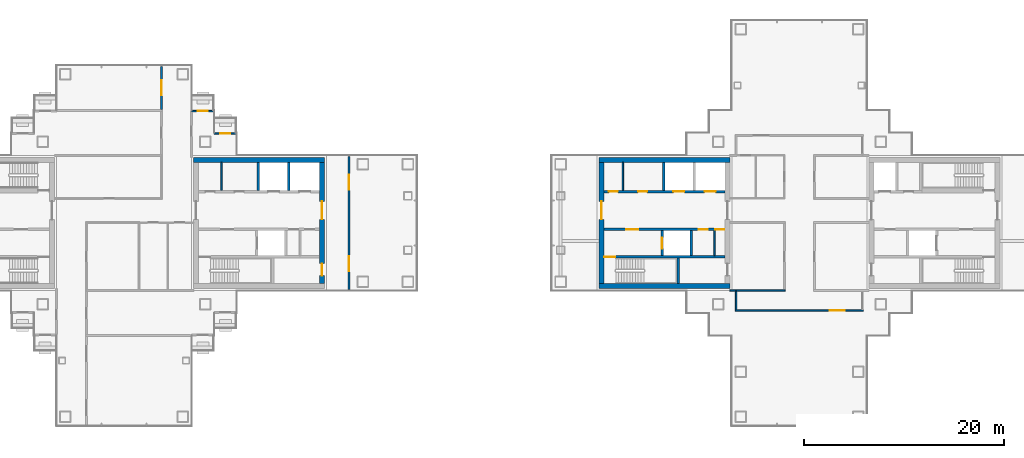
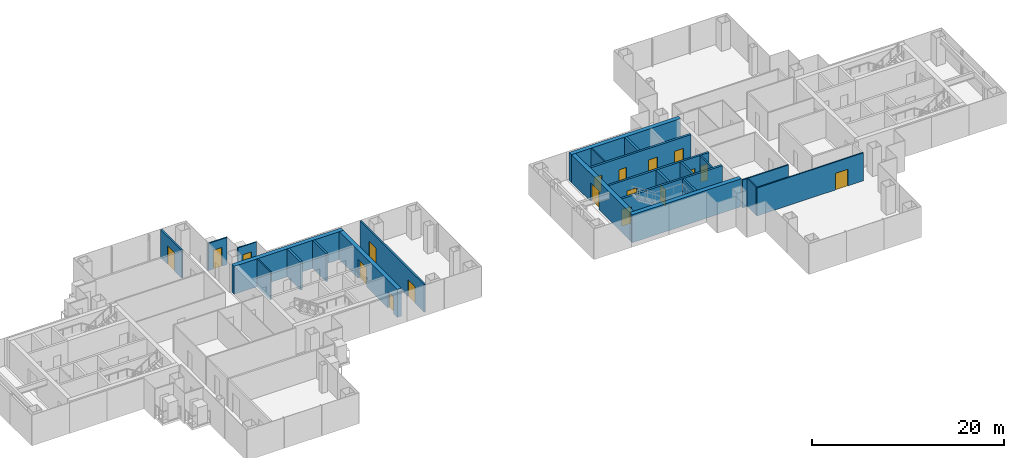
# One storey, part 11 of 16: 24 walls, 18 doors, 18 openings.
"""IFC4 building model written with IfcOpenShell, lengths in metres."""

from ifc_helpers import new_model, si_unit, direction, frame, frame_2d, origin, place, context, subcontext, project, spatial, rectangle, extrude, material, layer, layer_set, type_object, element, fill, save


model = new_model("IFC4")

# Units and contexts
model_context = context("Model", 3, precision=1e-05, world=origin(), true_north=direction((0.0, 1.0)))
body_context = subcontext(model_context, "Body", "Model", "MODEL_VIEW")
ifc_project = project(units=[si_unit("LENGTHUNIT", "METRE"), si_unit("AREAUNIT", "SQUARE_METRE"), si_unit("VOLUMEUNIT", "CUBIC_METRE"), si_unit("PLANEANGLEUNIT", "RADIAN"), si_unit("MASSUNIT", "GRAM", prefix="KILO")], contexts=[model_context])

# Site, building, storey
site_placement = place(None, origin())
site = spatial("IfcSite", under=ifc_project, at=site_placement, CompositionType="ELEMENT")
building_placement = place(site_placement, origin())
building = spatial("IfcBuilding", under=site, at=building_placement, Name="Shamsa Quay Exchange Towers", CompositionType="ELEMENT")
storey_placement = place(building_placement, frame((0.0, 0.0, 142.800048828125)))
storey = spatial("IfcBuildingStorey", under=building, at=storey_placement, Name="L33", CompositionType="ELEMENT", Elevation=142.800048828125)

# Wall, opening, door
ifc_material_1 = material(Name="Double-leaf gypsum board partition with acoustic insulation")
ifc_layer_1 = layer(ifc_material_1, 0.199951171875)
ifc_layer_set_1 = layer_set([ifc_layer_1], Name="Acoustic partition 200 mm EI 60")
wall_type_1 = type_object("IfcWallType", Name="Acoustic partition 200 mm EI 60", PredefinedType="PARTITIONING", material=ifc_layer_set_1)
wall_1_placement = place(storey_placement, frame((-30.0, 11.35009765625, 0.0), z_axis=(0.0, 0.0, 1.0), x_axis=(0.0, 1.0, 0.0)))
wall_1 = element("IfcWall", 1, at=wall_1_placement, inside=storey, type_object=wall_type_1, Name="Partition T1-R15-W02", PredefinedType="PARTITIONING", context=body_context, shape_type="SweptSolid", body=[
    extrude(rectangle(XDim=4.304931640625, YDim=0.199951171875, at=frame_2d((2.15234375, 0.0))), origin(), (0.0, 0.0, 1.0), 3.550048828125),
])
opening_1_placement = place(wall_1_placement, frame((1.39990234375, 0.0, 0.0)))
opening_1 = element("IfcOpeningElement", 2, at=opening_1_placement, cuts=wall_1, Name="Opening T1-R15-D08", PredefinedType="OPENING", context=body_context, shape_type="SweptSolid", body=[
    extrude(rectangle(XDim=1.5, YDim=2.39990234375, at=frame_2d((0.75, 1.199951171875))), frame((0.0, 0.10986328125, 0.0), z_axis=(0.0, -1.0, 0.0), x_axis=(1.0, 0.0, 0.0)), (0.0, 0.0, 1.0), 0.219970703125),
])
ifc_material_2 = material(Name="Timber door leaf in a metal frame", Category="wood")
door_type_1 = type_object("IfcDoorType", Name="Door 1500x2400 FD30S pair", OperationType="NOTDEFINED", PredefinedType="DOOR", material=ifc_material_2)
door_1_placement = place(opening_1_placement, origin())
door_1 = element("IfcDoor", 3, at=door_1_placement, inside=storey, type_object=door_type_1, Name="Door T1-R15-D08", OperationType="DOUBLE_DOOR_SINGLE_SWING", OverallHeight=2.39990234375, OverallWidth=1.5, PredefinedType="DOOR", context=body_context, shape_type="SweptSolid", body=[
    extrude(rectangle(XDim=1.5, YDim=2.39990234375, at=frame_2d((0.75, 1.199951171875))), frame((0.0, 0.02490234375, 0.0), z_axis=(0.0, -1.0, 0.0), x_axis=(1.0, 0.0, 0.0)), (0.0, 0.0, 1.0), 0.050048828125),
])
fill(opening_1, door_1)

# Wall, openings, doors
wall_2_placement = place(storey_placement, frame((-11.25, -6.655029296875, 0.0), z_axis=(0.0, 0.0, 1.0), x_axis=(0.0, 1.0, 0.0)))
wall_2 = element("IfcWall", 4, at=wall_2_placement, inside=storey, type_object=wall_type_1, Name="Partition T1-R15-W12", PredefinedType="PARTITIONING", context=body_context, shape_type="SweptSolid", body=[
    extrude(rectangle(XDim=13.31005859375, YDim=0.199951171875, at=frame_2d((6.655029296875, 0.0))), origin(), (0.0, 0.0, 1.0), 3.550048828125),
])
opening_2_placement = place(wall_2_placement, frame((1.85498046875, 0.0, 0.0)))
opening_2 = element("IfcOpeningElement", 5, at=opening_2_placement, cuts=wall_2, Name="Opening T1-R15-D12", PredefinedType="OPENING", context=body_context, shape_type="SweptSolid", body=[
    extrude(rectangle(XDim=1.5, YDim=2.10009765625, at=frame_2d((0.75, 1.050048828125))), frame((0.0, 0.10986328125, 0.0), z_axis=(0.0, -1.0, 0.0), x_axis=(1.0, 0.0, 0.0)), (0.0, 0.0, 1.0), 0.219970703125),
])
opening_3_placement = place(wall_2_placement, frame((9.955078125, 0.0, 0.0)))
opening_3 = element("IfcOpeningElement", 6, at=opening_3_placement, cuts=wall_2, Name="Opening T1-R15-D13", PredefinedType="OPENING", context=body_context, shape_type="SweptSolid", body=[
    extrude(rectangle(XDim=1.5, YDim=2.10009765625, at=frame_2d((0.75, 1.050048828125))), frame((0.0, 0.10986328125, 0.0), z_axis=(0.0, -1.0, 0.0), x_axis=(1.0, 0.0, 0.0)), (0.0, 0.0, 1.0), 0.219970703125),
])
door_type_2 = type_object("IfcDoorType", Name="Door 1500x2100 FD30S pair", OperationType="NOTDEFINED", PredefinedType="DOOR", material=ifc_material_2)
door_2_placement = place(opening_2_placement, origin())
door_2 = element("IfcDoor", 7, at=door_2_placement, inside=storey, type_object=door_type_2, Name="Door T1-R15-D12", OperationType="DOUBLE_DOOR_SINGLE_SWING", OverallHeight=2.10009765625, OverallWidth=1.5, PredefinedType="DOOR", context=body_context, shape_type="SweptSolid", body=[
    extrude(rectangle(XDim=1.5, YDim=2.10009765625, at=frame_2d((0.75, 1.050048828125))), frame((0.0, 0.02490234375, 0.0), z_axis=(0.0, -1.0, 0.0), x_axis=(1.0, 0.0, 0.0)), (0.0, 0.0, 1.0), 0.050048828125),
])
fill(opening_2, door_2)
door_3_placement = place(opening_3_placement, origin())
door_3 = element("IfcDoor", 8, at=door_3_placement, inside=storey, type_object=door_type_2, Name="Door T1-R15-D13", OperationType="DOUBLE_DOOR_SINGLE_SWING", OverallHeight=2.10009765625, OverallWidth=1.5, PredefinedType="DOOR", context=body_context, shape_type="SweptSolid", body=[
    extrude(rectangle(XDim=1.5, YDim=2.10009765625, at=frame_2d((0.75, 1.050048828125))), frame((0.0, 0.02490234375, 0.0), z_axis=(0.0, -1.0, 0.0), x_axis=(1.0, 0.0, 0.0)), (0.0, 0.0, 1.0), 0.050048828125),
])
fill(opening_3, door_3)

# Wall, opening, door
ifc_material_3 = material(Name="Aluminium EN AW-6063 T6, black anodised, with black enamelled glass infill", Category="aluminium")
ifc_layer_2 = layer(ifc_material_3, 0.14990234375)
ifc_layer_set_2 = layer_set([ifc_layer_2], Name="BALCONY DOOR BAY WALL 150")
wall_type_2 = type_object("IfcWallType", Name="BALCONY DOOR BAY WALL 150", PredefinedType="SOLIDWALL", material=ifc_layer_set_2)
wall_3_placement = place(storey_placement, frame((-24.75, 8.925048828125, 0.0)))
wall_3 = element("IfcWall", 9, at=wall_3_placement, inside=storey, type_object=wall_type_2, Name="Door bay T1-PKEN L33", PredefinedType="SOLIDWALL", context=body_context, shape_type="SweptSolid", body=[
    extrude(rectangle(XDim=2.25, YDim=0.14990234375, at=frame_2d((1.125, 0.0))), origin(), (0.0, 0.0, 1.0), 3.449951171875),
])
opening_4_placement = place(wall_3_placement, frame((0.625, 0.0, 0.0)))
opening_4 = element("IfcOpeningElement", 10, at=opening_4_placement, cuts=wall_3, Name="Opening XD209", PredefinedType="OPENING", context=body_context, shape_type="SweptSolid", body=[
    extrude(rectangle(XDim=1.0, YDim=2.39990234375, at=frame_2d((0.5, 1.199951171875))), frame((0.0, 0.0849609375, 0.0), z_axis=(0.0, -1.0, 0.0), x_axis=(1.0, 0.0, 0.0)), (0.0, 0.0, 1.0), 0.169921875),
])
ifc_material_4 = material(Name="Aluminium EN AW-6063 T6, black anodised, with laminated glass leaf", Category="aluminium")
door_type_3 = type_object("IfcDoorType", Name="BALCONY DOOR 1000x2400", OperationType="SINGLE_SWING_LEFT", PredefinedType="DOOR", material=ifc_material_4)
door_4_placement = place(opening_4_placement, origin())
door_4 = element("IfcDoor", 11, at=door_4_placement, inside=storey, type_object=door_type_3, Name="Balcony door T1-PKEN L33", OperationType="SINGLE_SWING_RIGHT", OverallHeight=2.39990234375, OverallWidth=1.0, PredefinedType="DOOR", context=body_context, shape_type="SweptSolid", body=[
    extrude(rectangle(XDim=1.0, YDim=2.39990234375, at=frame_2d((0.5, 1.199951171875))), frame((0.0, 0.02490234375, 0.0), z_axis=(0.0, -1.0, 0.0), x_axis=(1.0, 0.0, 0.0)), (0.0, 0.0, 1.0), 0.050048828125),
])
fill(opening_4, door_4)

wall_4_placement = place(storey_placement, frame((-27.0, 11.175048828125, 0.0)))
wall_4 = element("IfcWall", 12, at=wall_4_placement, inside=storey, type_object=wall_type_2, Name="Door bay T1-PKEN L33", PredefinedType="SOLIDWALL", context=body_context, shape_type="SweptSolid", body=[
    extrude(rectangle(XDim=2.25, YDim=0.14990234375, at=frame_2d((1.125, 0.0))), origin(), (0.0, 0.0, 1.0), 3.449951171875),
])
opening_5_placement = place(wall_4_placement, frame((0.625, 0.0, 0.0)))
opening_5 = element("IfcOpeningElement", 13, at=opening_5_placement, cuts=wall_4, Name="Opening XD210", PredefinedType="OPENING", context=body_context, shape_type="SweptSolid", body=[
    extrude(rectangle(XDim=1.0, YDim=2.39990234375, at=frame_2d((0.5, 1.199951171875))), frame((0.0, 0.0849609375, 0.0), z_axis=(0.0, -1.0, 0.0), x_axis=(1.0, 0.0, 0.0)), (0.0, 0.0, 1.0), 0.169921875),
])
door_5_placement = place(opening_5_placement, origin())
door_5 = element("IfcDoor", 14, at=door_5_placement, inside=storey, type_object=door_type_3, Name="Balcony door T1-PKEN L33", OperationType="SINGLE_SWING_LEFT", OverallHeight=2.39990234375, OverallWidth=1.0, PredefinedType="DOOR", context=body_context, shape_type="SweptSolid", body=[
    extrude(rectangle(XDim=1.0, YDim=2.39990234375, at=frame_2d((0.5, 1.199951171875))), frame((0.0, 0.02490234375, 0.0), z_axis=(0.0, -1.0, 0.0), x_axis=(1.0, 0.0, 0.0)), (0.0, 0.0, 1.0), 0.050048828125),
])
fill(opening_5, door_5)

# Wall
ifc_material_5 = material(Name="Concrete C60/75", Category="concrete")
ifc_layer_3 = layer(ifc_material_5, 0.5)
ifc_layer_set_3 = layer_set([ifc_layer_3], Name="CORE WALL 500 C60/75")
wall_type_3 = type_object("IfcWallType", Name="CORE WALL 500 C60/75", PredefinedType="SHEAR", material=ifc_layer_set_3)
wall_5_placement = place(storey_placement, frame((-26.800048828125, 6.300048828125, 0.0)))
element("IfcWall", 15, at=wall_5_placement, inside=storey, type_object=wall_type_3, Name="Core wall T1A-R15-PN", PredefinedType="SHEAR", context=body_context, shape_type="SweptSolid", body=[
    extrude(rectangle(XDim=13.10009765625, YDim=0.5, at=frame_2d((6.550048828125, 0.0))), origin(), (0.0, 0.0, 1.0), 3.550048828125),
])

# Wall, openings, doors
wall_6_placement = place(storey_placement, frame((-13.949951171875, 6.050048828125, 0.0), z_axis=(0.0, 0.0, 1.0), x_axis=(0.0, -1.0, 0.0)))
wall_6 = element("IfcWall", 16, at=wall_6_placement, inside=storey, type_object=wall_type_3, Name="Core wall T1A-R15-PB", PredefinedType="SHEAR", context=body_context, shape_type="SweptSolid", body=[
    extrude(rectangle(XDim=12.10009765625, YDim=0.5, at=frame_2d((6.050048828125, 0.0))), origin(), (0.0, 0.0, 1.0), 3.550048828125),
])
opening_6_placement = place(wall_6_placement, frame((10.10009765625, 0.0, 0.0)))
opening_6 = element("IfcOpeningElement", 17, at=opening_6_placement, cuts=wall_6, Name="Opening T1A-R15-RD02", PredefinedType="OPENING", context=body_context, shape_type="SweptSolid", body=[
    extrude(rectangle(XDim=1.199951171875, YDim=2.10009765625, at=frame_2d((0.60009765625, 1.050048828125))), frame((0.0, 0.260009765625, 0.0), z_axis=(0.0, -1.0, 0.0), x_axis=(1.0, 0.0, 0.0)), (0.0, 0.0, 1.0), 0.52001953125),
])
opening_7_placement = place(wall_6_placement, frame((3.89990234375, 0.0, 0.0)))
opening_7 = element("IfcOpeningElement", 18, at=opening_7_placement, cuts=wall_6, Name="Opening T1A-R15-LBD03", PredefinedType="OPENING", context=body_context, shape_type="SweptSolid", body=[
    extrude(rectangle(XDim=1.800048828125, YDim=2.39990234375, at=frame_2d((0.89990234375, 1.199951171875))), frame((0.0, 0.260009765625, 0.0), z_axis=(0.0, -1.0, 0.0), x_axis=(1.0, 0.0, 0.0)), (0.0, 0.0, 1.0), 0.52001953125),
])
ifc_material_6 = material(Name="Steel, fire rated", Category="steel")
door_type_4 = type_object("IfcDoorType", Name="LIFT LOBBY DOOR PAIR 1800", OperationType="DOUBLE_DOOR_SINGLE_SWING", PredefinedType="DOOR", material=ifc_material_6)
door_6_placement = place(opening_7_placement, origin())
door_6 = element("IfcDoor", 19, at=door_6_placement, inside=storey, type_object=door_type_4, Name="T1A-R15-LBD03", OperationType="DOUBLE_DOOR_SINGLE_SWING", OverallHeight=2.39990234375, OverallWidth=1.800048828125, PredefinedType="DOOR", context=body_context, shape_type="SweptSolid", body=[
    extrude(rectangle(XDim=1.800048828125, YDim=2.39990234375, at=frame_2d((0.89990234375, 1.199951171875))), frame((0.0, 0.02490234375, 0.0), z_axis=(0.0, -1.0, 0.0), x_axis=(1.0, 0.0, 0.0)), (0.0, 0.0, 1.0), 0.050048828125),
])
fill(opening_7, door_6)
door_type_5 = type_object("IfcDoorType", Name="RISER ACCESS DOOR 1200", OperationType="SINGLE_SWING_LEFT", PredefinedType="DOOR", material=ifc_material_6)
door_7_placement = place(opening_6_placement, origin())
door_7 = element("IfcDoor", 20, at=door_7_placement, inside=storey, type_object=door_type_5, Name="T1A-R15-RD02", OperationType="SINGLE_SWING_RIGHT", OverallHeight=2.10009765625, OverallWidth=1.199951171875, PredefinedType="DOOR", context=body_context, shape_type="SweptSolid", body=[
    extrude(rectangle(XDim=1.199951171875, YDim=2.10009765625, at=frame_2d((0.60009765625, 1.050048828125))), frame((0.0, 0.02490234375, 0.0), z_axis=(0.0, -1.0, 0.0), x_axis=(1.0, 0.0, 0.0)), (0.0, 0.0, 1.0), 0.050048828125),
])
fill(opening_6, door_7)

# Walls
for number, where, name in (
    (21, (13.699951171875, -6.300048828125, 0.0), "Core wall T2A-R15-PS"),
    (22, (13.699951171875, 6.300048828125, 0.0), "Core wall T2A-R15-PN"),
):
    element("IfcWall", number, at=place(storey_placement, frame(where)), inside=storey, type_object=wall_type_3, Name=name, PredefinedType="SHEAR", context=body_context, shape_type="SweptSolid", body=[
        extrude(rectangle(XDim=13.10009765625, YDim=0.5, at=frame_2d((6.550048828125, 0.0))), origin(), (0.0, 0.0, 1.0), 3.550048828125),
    ])

# Wall, opening, door
wall_7_placement = place(storey_placement, frame((13.949951171875, 6.050048828125, 0.0), z_axis=(0.0, 0.0, 1.0), x_axis=(0.0, -1.0, 0.0)))
wall_7 = element("IfcWall", 23, at=wall_7_placement, inside=storey, type_object=wall_type_3, Name="Core wall T2A-R15-PF", PredefinedType="SHEAR", context=body_context, shape_type="SweptSolid", body=[
    extrude(rectangle(XDim=12.10009765625, YDim=0.5, at=frame_2d((6.050048828125, 0.0))), origin(), (0.0, 0.0, 1.0), 3.550048828125),
])
opening_8_placement = place(wall_7_placement, frame((3.89990234375, 0.0, 0.0)))
opening_8 = element("IfcOpeningElement", 24, at=opening_8_placement, cuts=wall_7, Name="Opening T2A-R15-LBD01", PredefinedType="OPENING", context=body_context, shape_type="SweptSolid", body=[
    extrude(rectangle(XDim=1.800048828125, YDim=2.39990234375, at=frame_2d((0.89990234375, 1.199951171875))), frame((0.0, 0.260009765625, 0.0), z_axis=(0.0, -1.0, 0.0), x_axis=(1.0, 0.0, 0.0)), (0.0, 0.0, 1.0), 0.52001953125),
])
door_8_placement = place(opening_8_placement, origin())
door_8 = element("IfcDoor", 25, at=door_8_placement, inside=storey, type_object=door_type_4, Name="T2A-R15-LBD01", OperationType="DOUBLE_DOOR_SINGLE_SWING", OverallHeight=2.39990234375, OverallWidth=1.800048828125, PredefinedType="DOOR", context=body_context, shape_type="SweptSolid", body=[
    extrude(rectangle(XDim=1.800048828125, YDim=2.39990234375, at=frame_2d((0.89990234375, 1.199951171875))), frame((0.0, 0.02490234375, 0.0), z_axis=(0.0, -1.0, 0.0), x_axis=(1.0, 0.0, 0.0)), (0.0, 0.0, 1.0), 0.050048828125),
])
fill(opening_8, door_8)

# Walls
ifc_material_7 = material(Name="Gypsum board on steel studs, EI 60", Category="steel")
ifc_layer_4 = layer(ifc_material_7, 0.14990234375)
ifc_layer_set_4 = layer_set([ifc_layer_4], Name="FIRE PARTITION 150")
wall_type_4 = type_object("IfcWallType", Name="FIRE PARTITION 150", PredefinedType="PARTITIONING", material=ifc_layer_set_4)
wall_8_placement = place(storey_placement, frame((-24.0, 3.25, 0.0), z_axis=(0.0, 0.0, 1.0), x_axis=(0.0, 1.0, 0.0)))
element("IfcWall", 26, at=wall_8_placement, inside=storey, type_object=wall_type_4, Name="Partition T1A-R15-FC0", PredefinedType="PARTITIONING", context=body_context, shape_type="SweptSolid", body=[
    extrude(rectangle(XDim=2.800048828125, YDim=0.14990234375, at=frame_2d((1.39990234375, 0.0))), origin(), (0.0, 0.0, 1.0), 3.550048828125),
])
wall_9_placement = place(storey_placement, frame((25.25, -3.25, 0.0), z_axis=(0.0, 0.0, 1.0), x_axis=(0.0, 1.0, 0.0)))
element("IfcWall", 27, at=wall_9_placement, inside=storey, type_object=wall_type_4, Name="Partition T2A-R15-EC0", PredefinedType="PARTITIONING", context=body_context, shape_type="SweptSolid", body=[
    extrude(rectangle(XDim=2.5, YDim=0.14990234375, at=frame_2d((1.25, 0.0))), origin(), (0.0, 0.0, 1.0), 3.550048828125),
])
wall_10_placement = place(storey_placement, frame((16.10009765625, 3.25, 0.0), z_axis=(0.0, 0.0, 1.0), x_axis=(0.0, 1.0, 0.0)))
element("IfcWall", 28, at=wall_10_placement, inside=storey, type_object=wall_type_4, Name="Partition T2A-R15-FC0", PredefinedType="PARTITIONING", context=body_context, shape_type="SweptSolid", body=[
    extrude(rectangle(XDim=2.800048828125, YDim=0.14990234375, at=frame_2d((1.39990234375, 0.0))), origin(), (0.0, 0.0, 1.0), 3.550048828125),
])
ifc_material_8 = material(Name="Gypsum board partition on metal studs")
ifc_layer_5 = layer(ifc_material_8, 0.14990234375)
ifc_layer_set_5 = layer_set([ifc_layer_5], Name="Partition 150 mm EI 60")
wall_type_5 = type_object("IfcWallType", Name="Partition 150 mm EI 60", PredefinedType="PARTITIONING", material=ifc_layer_set_5)
wall_11_placement = place(storey_placement, frame((26.800048828125, -6.75, 0.0)))
element("IfcWall", 29, at=wall_11_placement, inside=storey, type_object=wall_type_5, Name="Partition T2-R15-W06", PredefinedType="PARTITIONING", context=body_context, shape_type="SweptSolid", body=[
    extrude(rectangle(XDim=5.52490234375, YDim=0.14990234375, at=frame_2d((2.762451171875, 0.0))), origin(), (0.0, 0.0, 1.0), 3.550048828125),
])
wall_12_placement = place(storey_placement, frame((27.4248046875, -6.824951171875, 0.0), z_axis=(0.0, 0.0, 1.0), x_axis=(0.0, -1.0, 0.0)))
element("IfcWall", 30, at=wall_12_placement, inside=storey, type_object=wall_type_5, Name="Partition T2-R15-W17", PredefinedType="PARTITIONING", context=body_context, shape_type="SweptSolid", body=[
    extrude(rectangle(XDim=1.85009765625, YDim=0.14990234375, at=frame_2d((0.925048828125, 0.0))), origin(), (0.0, 0.0, 1.0), 3.550048828125),
])

# Wall, opening, door
wall_13_placement = place(storey_placement, frame((27.349853515625, -8.75, 0.0)))
wall_13 = element("IfcWall", 31, at=wall_13_placement, inside=storey, type_object=wall_type_5, Name="Partition T2-R15-W19", PredefinedType="PARTITIONING", context=body_context, shape_type="SweptSolid", body=[
    extrude(rectangle(XDim=12.80029296875, YDim=0.14990234375, at=frame_2d((6.400146484375, 0.0))), origin(), (0.0, 0.0, 1.0), 3.550048828125),
])
opening_9_placement = place(wall_13_placement, frame((9.4453125, 0.0, 0.0)))
opening_9 = element("IfcOpeningElement", 32, at=opening_9_placement, cuts=wall_13, Name="Opening T2-R15-D01", PredefinedType="OPENING", context=body_context, shape_type="SweptSolid", body=[
    extrude(rectangle(XDim=1.5, YDim=2.10009765625, at=frame_2d((0.75, 1.050048828125))), frame((0.0, 0.0849609375, 0.0), z_axis=(0.0, -1.0, 0.0), x_axis=(1.0, 0.0, 0.0)), (0.0, 0.0, 1.0), 0.169921875),
])
door_9_placement = place(opening_9_placement, origin())
door_9 = element("IfcDoor", 33, at=door_9_placement, inside=storey, type_object=door_type_2, Name="Door T2-R15-D01", OperationType="DOUBLE_DOOR_SINGLE_SWING", OverallHeight=2.10009765625, OverallWidth=1.5, PredefinedType="DOOR", context=body_context, shape_type="SweptSolid", body=[
    extrude(rectangle(XDim=1.5, YDim=2.10009765625, at=frame_2d((0.75, 1.050048828125))), frame((0.0, 0.02490234375, 0.0), z_axis=(0.0, -1.0, 0.0), x_axis=(1.0, 0.0, 0.0)), (0.0, 0.0, 1.0), 0.050048828125),
])
fill(opening_9, door_9)

# Walls
ifc_material_9 = material(Name="Concrete C50/60", Category="concrete")
ifc_layer_6 = layer(ifc_material_9, 0.25)
ifc_layer_set_6 = layer_set([ifc_layer_6], Name="SHAFT WALL 250 C50/60")
wall_type_6 = type_object("IfcWallType", Name="SHAFT WALL 250 C50/60", PredefinedType="SHEAR", material=ifc_layer_set_6)
for number, where, z_axis, x_axis, name in (
    (34, (-20.324951171875, 3.25, 0.0), (0.0, 0.0, 1.0), (0.0, 1.0, 0.0), "Shaft wall T1A-R15-D1"),
    (35, (-17.27490234375, 3.25, 0.0), (0.0, 0.0, 1.0), (0.0, 1.0, 0.0), "Shaft wall T1A-R15-D2"),
):
    element("IfcWall", number, at=place(storey_placement, frame(where, z_axis=z_axis, x_axis=x_axis)), inside=storey, type_object=wall_type_6, Name=name, PredefinedType="SHEAR", context=body_context, shape_type="SweptSolid", body=[
        extrude(rectangle(XDim=2.800048828125, YDim=0.25, at=frame_2d((1.39990234375, 0.0))), origin(), (0.0, 0.0, 1.0), 3.550048828125),
    ])

# Wall, opening, door
wall_14_placement = place(storey_placement, frame((26.300048828125, -3.375, 0.0), z_axis=(0.0, 0.0, 1.0), x_axis=(-1.0, 0.0, 0.0)))
wall_14 = element("IfcWall", 36, at=wall_14_placement, inside=storey, type_object=wall_type_6, Name="Shaft wall T2A-R15-STL", PredefinedType="SHEAR", context=body_context, shape_type="SweptSolid", body=[
    extrude(rectangle(XDim=12.10009765625, YDim=0.25, at=frame_2d((6.050048828125, 0.0))), origin(), (0.0, 0.0, 1.0), 3.550048828125),
])
opening_10_placement = place(wall_14_placement, frame((10.949951171875, 0.0, 0.0)))
opening_10 = element("IfcOpeningElement", 37, at=opening_10_placement, cuts=wall_14, Name="Opening T2A-R15-SD04", PredefinedType="OPENING", context=body_context, shape_type="SweptSolid", body=[
    extrude(rectangle(XDim=1.10009765625, YDim=2.10009765625, at=frame_2d((0.550048828125, 1.050048828125))), frame((0.0, 0.135009765625, 0.0), z_axis=(0.0, -1.0, 0.0), x_axis=(1.0, 0.0, 0.0)), (0.0, 0.0, 1.0), 0.27001953125),
])
door_type_6 = type_object("IfcDoorType", Name="STAIR DOOR 1100", OperationType="SINGLE_SWING_LEFT", PredefinedType="DOOR", material=ifc_material_6)
door_10_placement = place(opening_10_placement, origin())
door_10 = element("IfcDoor", 38, at=door_10_placement, inside=storey, type_object=door_type_6, Name="T2A-R15-SD04", OperationType="SINGLE_SWING_RIGHT", OverallHeight=2.10009765625, OverallWidth=1.10009765625, PredefinedType="DOOR", context=body_context, shape_type="SweptSolid", body=[
    extrude(rectangle(XDim=1.10009765625, YDim=2.10009765625, at=frame_2d((0.550048828125, 1.050048828125))), frame((0.0, 0.02490234375, 0.0), z_axis=(0.0, -1.0, 0.0), x_axis=(1.0, 0.0, 0.0)), (0.0, 0.0, 1.0), 0.050048828125),
])
fill(opening_10, door_10)

# Wall
wall_15_placement = place(storey_placement, frame((21.625, -6.050048828125, 0.0), z_axis=(0.0, 0.0, 1.0), x_axis=(0.0, 1.0, 0.0)))
element("IfcWall", 39, at=wall_15_placement, inside=storey, type_object=wall_type_6, Name="Shaft wall T2A-R15-STF", PredefinedType="SHEAR", context=body_context, shape_type="SweptSolid", body=[
    extrude(rectangle(XDim=2.550048828125, YDim=0.25, at=frame_2d((1.27490234375, 0.0))), origin(), (0.0, 0.0, 1.0), 3.550048828125),
])

# Wall, openings, doors
wall_16_placement = place(storey_placement, frame((26.300048828125, -0.625, 0.0), z_axis=(0.0, 0.0, 1.0), x_axis=(-1.0, 0.0, 0.0)))
wall_16 = element("IfcWall", 40, at=wall_16_placement, inside=storey, type_object=wall_type_6, Name="Shaft wall T2A-R15-B", PredefinedType="SHEAR", context=body_context, shape_type="SweptSolid", body=[
    extrude(rectangle(XDim=12.10009765625, YDim=0.25, at=frame_2d((6.050048828125, 0.0))), origin(), (0.0, 0.0, 1.0), 3.550048828125),
])
opening_11_placement = place(wall_16_placement, frame((8.64990234375, 0.0, 0.0)))
opening_11 = element("IfcOpeningElement", 41, at=opening_11_placement, cuts=wall_16, Name="Opening T2A-R15-FD05", PredefinedType="OPENING", context=body_context, shape_type="SweptSolid", body=[
    extrude(rectangle(XDim=1.199951171875, YDim=2.10009765625, at=frame_2d((0.60009765625, 1.050048828125))), frame((0.0, 0.135009765625, 0.0), z_axis=(0.0, -1.0, 0.0), x_axis=(1.0, 0.0, 0.0)), (0.0, 0.0, 1.0), 0.27001953125),
])
opening_12_placement = place(wall_16_placement, frame((1.699951171875, 0.0, 0.0)))
opening_12 = element("IfcOpeningElement", 42, at=opening_12_placement, cuts=wall_16, Name="Opening T2A-R15-SV06", PredefinedType="OPENING", context=body_context, shape_type="SweptSolid", body=[
    extrude(rectangle(XDim=0.89990234375, YDim=2.10009765625, at=frame_2d((0.449951171875, 1.050048828125))), frame((0.0, 0.135009765625, 0.0), z_axis=(0.0, -1.0, 0.0), x_axis=(1.0, 0.0, 0.0)), (0.0, 0.0, 1.0), 0.27001953125),
])
opening_13_placement = place(wall_16_placement, frame((0.074951171875, 0.0, 0.0)))
opening_13 = element("IfcOpeningElement", 43, at=opening_13_placement, cuts=wall_16, Name="Opening T2A-R15-SV07", PredefinedType="OPENING", context=body_context, shape_type="SweptSolid", body=[
    extrude(rectangle(XDim=0.89990234375, YDim=2.10009765625, at=frame_2d((0.449951171875, 1.050048828125))), frame((0.0, 0.135009765625, 0.0), z_axis=(0.0, -1.0, 0.0), x_axis=(1.0, 0.0, 0.0)), (0.0, 0.0, 1.0), 0.27001953125),
])
door_type_7 = type_object("IfcDoorType", Name="FIRE SERVICE LOBBY DOOR 1200", OperationType="SINGLE_SWING_LEFT", PredefinedType="DOOR", material=ifc_material_6)
door_11_placement = place(opening_11_placement, origin())
door_11 = element("IfcDoor", 44, at=door_11_placement, inside=storey, type_object=door_type_7, Name="T2A-R15-FD05", OperationType="SINGLE_SWING_RIGHT", OverallHeight=2.10009765625, OverallWidth=1.199951171875, PredefinedType="DOOR", context=body_context, shape_type="SweptSolid", body=[
    extrude(rectangle(XDim=1.199951171875, YDim=2.10009765625, at=frame_2d((0.60009765625, 1.050048828125))), frame((0.0, 0.02490234375, 0.0), z_axis=(0.0, -1.0, 0.0), x_axis=(1.0, 0.0, 0.0)), (0.0, 0.0, 1.0), 0.050048828125),
])
fill(opening_11, door_11)
door_type_8 = type_object("IfcDoorType", Name="SERVICE ROOM DOOR 900", OperationType="SINGLE_SWING_LEFT", PredefinedType="DOOR", material=ifc_material_6)
door_12_placement = place(opening_12_placement, origin())
door_12 = element("IfcDoor", 45, at=door_12_placement, inside=storey, type_object=door_type_8, Name="T2A-R15-SV06", OperationType="SINGLE_SWING_LEFT", OverallHeight=2.10009765625, OverallWidth=0.89990234375, PredefinedType="DOOR", context=body_context, shape_type="SweptSolid", body=[
    extrude(rectangle(XDim=0.89990234375, YDim=2.10009765625, at=frame_2d((0.449951171875, 1.050048828125))), frame((0.0, 0.02490234375, 0.0), z_axis=(0.0, -1.0, 0.0), x_axis=(1.0, 0.0, 0.0)), (0.0, 0.0, 1.0), 0.050048828125),
])
fill(opening_12, door_12)
door_13_placement = place(opening_13_placement, origin())
door_13 = element("IfcDoor", 46, at=door_13_placement, inside=storey, type_object=door_type_8, Name="T2A-R15-SV07", OperationType="SINGLE_SWING_LEFT", OverallHeight=2.10009765625, OverallWidth=0.89990234375, PredefinedType="DOOR", context=body_context, shape_type="SweptSolid", body=[
    extrude(rectangle(XDim=0.89990234375, YDim=2.10009765625, at=frame_2d((0.449951171875, 1.050048828125))), frame((0.0, 0.02490234375, 0.0), z_axis=(0.0, -1.0, 0.0), x_axis=(1.0, 0.0, 0.0)), (0.0, 0.0, 1.0), 0.050048828125),
])
fill(opening_13, door_13)

# Wall, opening, door
wall_17_placement = place(storey_placement, frame((20.02490234375, -3.25, 0.0), z_axis=(0.0, 0.0, 1.0), x_axis=(0.0, 1.0, 0.0)))
wall_17 = element("IfcWall", 47, at=wall_17_placement, inside=storey, type_object=wall_type_6, Name="Shaft wall T2A-R15-FFF", PredefinedType="SHEAR", context=body_context, shape_type="SweptSolid", body=[
    extrude(rectangle(XDim=2.5, YDim=0.25, at=frame_2d((1.25, 0.0))), origin(), (0.0, 0.0, 1.0), 3.550048828125),
])
opening_14_placement = place(wall_17_placement, frame((0.699951171875, 0.0, 0.0)))
opening_14 = element("IfcOpeningElement", 48, at=opening_14_placement, cuts=wall_17, Name="Opening T2A-R15-LDF08", PredefinedType="OPENING", context=body_context, shape_type="SweptSolid", body=[
    extrude(rectangle(XDim=1.10009765625, YDim=2.10009765625, at=frame_2d((0.550048828125, 1.050048828125))), frame((0.0, 0.135009765625, 0.0), z_axis=(0.0, -1.0, 0.0), x_axis=(1.0, 0.0, 0.0)), (0.0, 0.0, 1.0), 0.27001953125),
])
door_type_9 = type_object("IfcDoorType", Name="FIRE SERVICE LANDING DOOR 1100", OperationType="SLIDING_TO_LEFT", PredefinedType="DOOR", material=ifc_material_6)
door_14_placement = place(opening_14_placement, origin())
door_14 = element("IfcDoor", 49, at=door_14_placement, inside=storey, type_object=door_type_9, Name="T2A-R15-LDF08", OperationType="SLIDING_TO_LEFT", OverallHeight=2.10009765625, OverallWidth=1.10009765625, PredefinedType="DOOR", context=body_context, shape_type="SweptSolid", body=[
    extrude(rectangle(XDim=1.10009765625, YDim=2.10009765625, at=frame_2d((0.550048828125, 1.050048828125))), frame((0.0, 0.02490234375, 0.0), z_axis=(0.0, -1.0, 0.0), x_axis=(1.0, 0.0, 0.0)), (0.0, 0.0, 1.0), 0.050048828125),
])
fill(opening_14, door_14)

# Wall
wall_18_placement = place(storey_placement, frame((22.925048828125, -3.25, 0.0), z_axis=(0.0, 0.0, 1.0), x_axis=(0.0, 1.0, 0.0)))
element("IfcWall", 50, at=wall_18_placement, inside=storey, type_object=wall_type_6, Name="Shaft wall T2A-R15-FFB", PredefinedType="SHEAR", context=body_context, shape_type="SweptSolid", body=[
    extrude(rectangle(XDim=2.5, YDim=0.25, at=frame_2d((1.25, 0.0))), origin(), (0.0, 0.0, 1.0), 3.550048828125),
])

# Wall, openings, doors
wall_19_placement = place(storey_placement, frame((14.199951171875, 3.125, 0.0)))
wall_19 = element("IfcWall", 51, at=wall_19_placement, inside=storey, type_object=wall_type_6, Name="Shaft wall T2A-R15-N", PredefinedType="SHEAR", context=body_context, shape_type="SweptSolid", body=[
    extrude(rectangle(XDim=12.10009765625, YDim=0.25, at=frame_2d((6.050048828125, 0.0))), origin(), (0.0, 0.0, 1.0), 3.550048828125),
])
opening_15_placement = place(wall_19_placement, frame((6.949951171875, 0.0, 0.0)))
opening_15 = element("IfcOpeningElement", 52, at=opening_15_placement, cuts=wall_19, Name="Opening T2A-R15-LD09", PredefinedType="OPENING", context=body_context, shape_type="SweptSolid", body=[
    extrude(rectangle(XDim=1.10009765625, YDim=2.10009765625, at=frame_2d((0.550048828125, 1.050048828125))), frame((0.0, 0.135009765625, 0.0), z_axis=(0.0, -1.0, 0.0), x_axis=(1.0, 0.0, 0.0)), (0.0, 0.0, 1.0), 0.27001953125),
])
opening_16_placement = place(wall_19_placement, frame((10.074951171875, 0.0, 0.0)))
opening_16 = element("IfcOpeningElement", 53, at=opening_16_placement, cuts=wall_19, Name="Opening T2A-R15-LD10", PredefinedType="OPENING", context=body_context, shape_type="SweptSolid", body=[
    extrude(rectangle(XDim=1.10009765625, YDim=2.10009765625, at=frame_2d((0.550048828125, 1.050048828125))), frame((0.0, 0.135009765625, 0.0), z_axis=(0.0, -1.0, 0.0), x_axis=(1.0, 0.0, 0.0)), (0.0, 0.0, 1.0), 0.27001953125),
])
opening_17_placement = place(wall_19_placement, frame((0.5, 0.0, 0.0)))
opening_17 = element("IfcOpeningElement", 54, at=opening_17_placement, cuts=wall_19, Name="Opening T2A-R15-SV11", PredefinedType="OPENING", context=body_context, shape_type="SweptSolid", body=[
    extrude(rectangle(XDim=0.89990234375, YDim=2.10009765625, at=frame_2d((0.449951171875, 1.050048828125))), frame((0.0, 0.135009765625, 0.0), z_axis=(0.0, -1.0, 0.0), x_axis=(1.0, 0.0, 0.0)), (0.0, 0.0, 1.0), 0.27001953125),
])
opening_18_placement = place(wall_19_placement, frame((3.425048828125, 0.0, 0.0)))
opening_18 = element("IfcOpeningElement", 55, at=opening_18_placement, cuts=wall_19, Name="Opening T2A-R15-SV12", PredefinedType="OPENING", context=body_context, shape_type="SweptSolid", body=[
    extrude(rectangle(XDim=0.89990234375, YDim=2.10009765625, at=frame_2d((0.449951171875, 1.050048828125))), frame((0.0, 0.135009765625, 0.0), z_axis=(0.0, -1.0, 0.0), x_axis=(1.0, 0.0, 0.0)), (0.0, 0.0, 1.0), 0.27001953125),
])
door_type_10 = type_object("IfcDoorType", Name="LANDING DOOR 1100", OperationType="SLIDING_TO_LEFT", PredefinedType="DOOR", material=ifc_material_6)
door_15_placement = place(opening_15_placement, origin())
door_15 = element("IfcDoor", 56, at=door_15_placement, inside=storey, type_object=door_type_10, Name="T2A-R15-LD09", OperationType="SLIDING_TO_LEFT", OverallHeight=2.10009765625, OverallWidth=1.10009765625, PredefinedType="DOOR", context=body_context, shape_type="SweptSolid", body=[
    extrude(rectangle(XDim=1.10009765625, YDim=2.10009765625, at=frame_2d((0.550048828125, 1.050048828125))), frame((0.0, 0.02490234375, 0.0), z_axis=(0.0, -1.0, 0.0), x_axis=(1.0, 0.0, 0.0)), (0.0, 0.0, 1.0), 0.050048828125),
])
fill(opening_15, door_15)
door_16_placement = place(opening_16_placement, origin())
door_16 = element("IfcDoor", 57, at=door_16_placement, inside=storey, type_object=door_type_10, Name="T2A-R15-LD10", OperationType="SLIDING_TO_LEFT", OverallHeight=2.10009765625, OverallWidth=1.10009765625, PredefinedType="DOOR", context=body_context, shape_type="SweptSolid", body=[
    extrude(rectangle(XDim=1.10009765625, YDim=2.10009765625, at=frame_2d((0.550048828125, 1.050048828125))), frame((0.0, 0.02490234375, 0.0), z_axis=(0.0, -1.0, 0.0), x_axis=(1.0, 0.0, 0.0)), (0.0, 0.0, 1.0), 0.050048828125),
])
fill(opening_16, door_16)
door_17_placement = place(opening_17_placement, origin())
door_17 = element("IfcDoor", 58, at=door_17_placement, inside=storey, type_object=door_type_8, Name="T2A-R15-SV11", OperationType="SINGLE_SWING_LEFT", OverallHeight=2.10009765625, OverallWidth=0.89990234375, PredefinedType="DOOR", context=body_context, shape_type="SweptSolid", body=[
    extrude(rectangle(XDim=0.89990234375, YDim=2.10009765625, at=frame_2d((0.449951171875, 1.050048828125))), frame((0.0, 0.02490234375, 0.0), z_axis=(0.0, -1.0, 0.0), x_axis=(1.0, 0.0, 0.0)), (0.0, 0.0, 1.0), 0.050048828125),
])
fill(opening_17, door_17)
door_18_placement = place(opening_18_placement, origin())
door_18 = element("IfcDoor", 59, at=door_18_placement, inside=storey, type_object=door_type_8, Name="T2A-R15-SV12", OperationType="SINGLE_SWING_LEFT", OverallHeight=2.10009765625, OverallWidth=0.89990234375, PredefinedType="DOOR", context=body_context, shape_type="SweptSolid", body=[
    extrude(rectangle(XDim=0.89990234375, YDim=2.10009765625, at=frame_2d((0.449951171875, 1.050048828125))), frame((0.0, 0.02490234375, 0.0), z_axis=(0.0, -1.0, 0.0), x_axis=(1.0, 0.0, 0.0)), (0.0, 0.0, 1.0), 0.050048828125),
])
fill(opening_18, door_18)

# Wall
wall_20_placement = place(storey_placement, frame((20.175048828125, 3.25, 0.0), z_axis=(0.0, 0.0, 1.0), x_axis=(0.0, 1.0, 0.0)))
element("IfcWall", 60, at=wall_20_placement, inside=storey, type_object=wall_type_6, Name="Shaft wall T2A-R15-D1", PredefinedType="SHEAR", context=body_context, shape_type="SweptSolid", body=[
    extrude(rectangle(XDim=2.800048828125, YDim=0.25, at=frame_2d((1.39990234375, 0.0))), origin(), (0.0, 0.0, 1.0), 3.550048828125),
])

save(model, "model.ifc")
